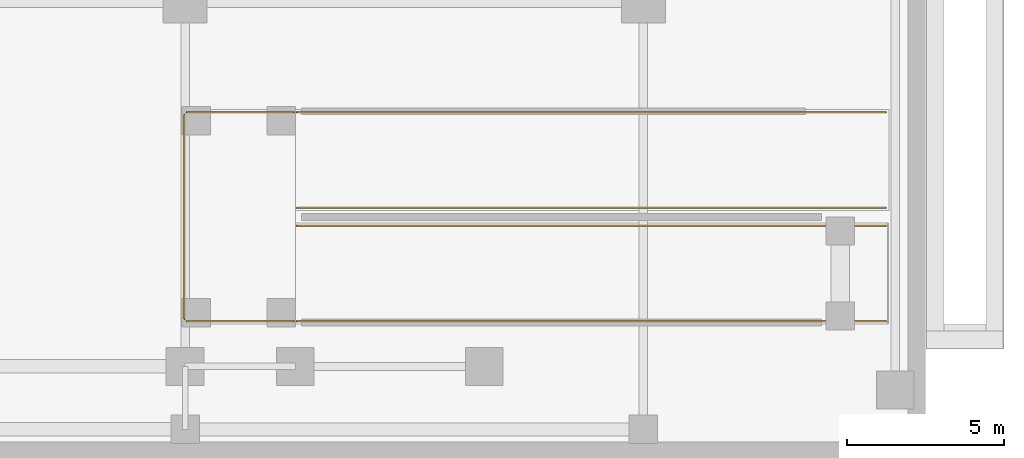
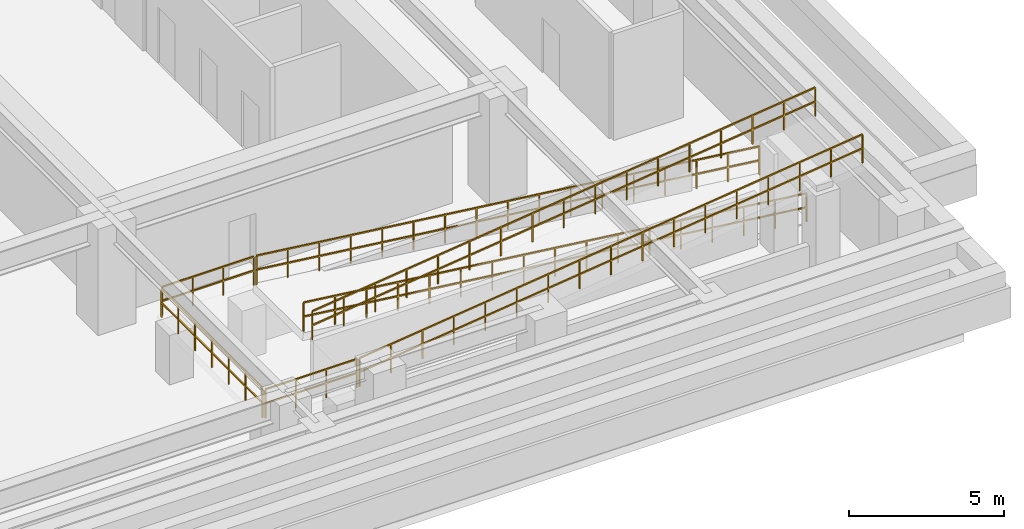
# One storey, part 7 of 9: 7 railings.
"""IFC4 building model written with IfcOpenShell, lengths in metres."""

from ifc_helpers import new_model, si_unit, direction, frame, origin, origin_2d, place, context, subcontext, project, spatial, rectangle, extrude, material, type_object, element, save


model = new_model("IFC4")

# Units and contexts
model_context = context("Model", 3, precision=1e-05, world=origin(), true_north=direction((0.0, 1.0)))
body_context = subcontext(model_context, "Body", "Model", "MODEL_VIEW")
ifc_project = project(units=[si_unit("LENGTHUNIT", "METRE"), si_unit("AREAUNIT", "SQUARE_METRE"), si_unit("VOLUMEUNIT", "CUBIC_METRE"), si_unit("PLANEANGLEUNIT", "RADIAN"), si_unit("MASSUNIT", "GRAM", prefix="KILO")], contexts=[model_context])

# Site, building, storey
site_placement = place(None, origin())
site = spatial("IfcSite", under=ifc_project, at=site_placement, CompositionType="ELEMENT")
building_placement = place(site_placement, origin())
building = spatial("IfcBuilding", under=site, at=building_placement, Name="Ocotamira Hotel", CompositionType="ELEMENT")
storey_placement = place(building_placement, frame((0.0, 0.0, -4.5)))
storey = spatial("IfcBuildingStorey", under=building, at=storey_placement, Name="B01", CompositionType="ELEMENT", Elevation=-4.5)

# Railings
ifc_material = material(Name="Painted steel stair guardrail", Category="steel")
railing_type = type_object("IfcRailingType", Name="RL-EDGE-1150", PredefinedType="GUARDRAIL", material=ifc_material)
railing_1_placement = place(storey_placement, frame((43.949951171875, 11.02001953125, 2.25)))
element("IfcRailing", 1, at=railing_1_placement, inside=storey, type_object=railing_type, Name="VR-2 Mid Landing Guardrail N", PredefinedType="GUARDRAIL", context=body_context, shape_type="SweptSolid", body=[
    extrude(rectangle(XDim=0.048095703125, YDim=0.048095703125, at=origin_2d()), frame((0.0, 0.0, 1.1259765625), z_axis=(-1.0, 0.0, 0.0), x_axis=(0.0, -1.0, 0.0)), (0.0, 0.0, 1.0), 3.39990234375),
    extrude(rectangle(XDim=0.048095703125, YDim=0.048095703125, at=origin_2d()), frame((0.0, 0.0, 0.574951171875), z_axis=(-1.0, 0.0, 0.0), x_axis=(0.0, -1.0, 0.0)), (0.0, 0.0, 1.0), 3.39990234375),
    extrude(rectangle(XDim=0.0419921875, YDim=0.0419921875, at=origin_2d()), origin(), (0.0, 0.0, 1.0), 1.101806640625),
    extrude(rectangle(XDim=0.0419921875, YDim=0.0419921875, at=origin_2d()), frame((-1.13330078125, 0.0, 0.0)), (0.0, 0.0, 1.0), 1.101806640625),
    extrude(rectangle(XDim=0.0419921875, YDim=0.0419921875, at=origin_2d()), frame((-2.2666015625, 0.0, 0.0)), (0.0, 0.0, 1.0), 1.101806640625),
    extrude(rectangle(XDim=0.0419921875, YDim=0.0419921875, at=origin_2d()), frame((-3.39990234375, 0.0, 0.0)), (0.0, 0.0, 1.0), 1.101806640625),
])
railing_2_placement = place(storey_placement, frame((40.47998046875, 10.949951171875, 2.25)))
element("IfcRailing", 2, at=railing_2_placement, inside=storey, type_object=railing_type, Name="VR-2 Mid Landing Guardrail W", PredefinedType="GUARDRAIL", context=body_context, shape_type="SweptSolid", body=[
    extrude(rectangle(XDim=0.048095703125, YDim=0.048095703125, at=origin_2d()), frame((0.0, 0.0, 1.1259765625), z_axis=(0.0, -1.0, 0.0), x_axis=(1.0, 0.0, 0.0)), (0.0, 0.0, 1.0), 6.5),
    extrude(rectangle(XDim=0.048095703125, YDim=0.048095703125, at=origin_2d()), frame((0.0, 0.0, 0.574951171875), z_axis=(0.0, -1.0, 0.0), x_axis=(1.0, 0.0, 0.0)), (0.0, 0.0, 1.0), 6.5),
    extrude(rectangle(XDim=0.0419921875, YDim=0.0419921875, at=origin_2d()), origin(), (0.0, 0.0, 1.0), 1.101806640625),
    extrude(rectangle(XDim=0.0419921875, YDim=0.0419921875, at=origin_2d()), frame((0.0, -1.083251953125, 0.0)), (0.0, 0.0, 1.0), 1.101806640625),
    extrude(rectangle(XDim=0.0419921875, YDim=0.0419921875, at=origin_2d()), frame((0.0, -2.166748046875, 0.0)), (0.0, 0.0, 1.0), 1.101806640625),
    extrude(rectangle(XDim=0.0419921875, YDim=0.0419921875, at=origin_2d()), frame((0.0, -3.25, 0.0)), (0.0, 0.0, 1.0), 1.101806640625),
    extrude(rectangle(XDim=0.0419921875, YDim=0.0419921875, at=origin_2d()), frame((0.0, -4.333251953125, 0.0)), (0.0, 0.0, 1.0), 1.101806640625),
    extrude(rectangle(XDim=0.0419921875, YDim=0.0419921875, at=origin_2d()), frame((0.0, -5.416748046875, 0.0)), (0.0, 0.0, 1.0), 1.101806640625),
    extrude(rectangle(XDim=0.0419921875, YDim=0.0419921875, at=origin_2d()), frame((0.0, -6.5, 0.0)), (0.0, 0.0, 1.0), 1.101806640625),
])
railing_3_placement = place(storey_placement, frame((40.550048828125, 4.3798828125, 2.25)))
element("IfcRailing", 3, at=railing_3_placement, inside=storey, type_object=railing_type, Name="VR-2 Mid Landing Guardrail S", PredefinedType="GUARDRAIL", context=body_context, shape_type="SweptSolid", body=[
    extrude(rectangle(XDim=0.048095703125, YDim=0.048095703125, at=origin_2d()), frame((0.0, 0.0, 1.1259765625), z_axis=(1.0, 0.0, 0.0), x_axis=(0.0, 1.0, 0.0)), (0.0, 0.0, 1.0), 3.39990234375),
    extrude(rectangle(XDim=0.048095703125, YDim=0.048095703125, at=origin_2d()), frame((0.0, 0.0, 0.574951171875), z_axis=(1.0, 0.0, 0.0), x_axis=(0.0, 1.0, 0.0)), (0.0, 0.0, 1.0), 3.39990234375),
    extrude(rectangle(XDim=0.0419921875, YDim=0.0419921875, at=origin_2d()), origin(), (0.0, 0.0, 1.0), 1.101806640625),
    extrude(rectangle(XDim=0.0419921875, YDim=0.0419921875, at=origin_2d()), frame((1.13330078125, 0.0, 0.0)), (0.0, 0.0, 1.0), 1.101806640625),
    extrude(rectangle(XDim=0.0419921875, YDim=0.0419921875, at=origin_2d()), frame((2.2666015625, 0.0, 0.0)), (0.0, 0.0, 1.0), 1.101806640625),
    extrude(rectangle(XDim=0.0419921875, YDim=0.0419921875, at=origin_2d()), frame((3.39990234375, 0.0, 0.0)), (0.0, 0.0, 1.0), 1.101806640625),
])
railing_4_placement = place(storey_placement, frame((62.75, 7.97998046875, 0.0)))
element("IfcRailing", 4, at=railing_4_placement, inside=storey, type_object=railing_type, Name="VR-2 Ramp Guardrail F1S", PredefinedType="GUARDRAIL", context=body_context, shape_type="SweptSolid", body=[
    extrude(rectangle(XDim=0.048095703125, YDim=0.048095703125, at=origin_2d()), frame((0.0, 0.0, 1.1259765625), z_axis=(-0.992839067522, 0.0, 0.119459558017), x_axis=(0.0, -1.0, 0.0)), (0.0, 0.0, 1.0), 18.834716796875),
    extrude(rectangle(XDim=0.048095703125, YDim=0.048095703125, at=origin_2d()), frame((0.0, 0.0, 0.574951171875), z_axis=(-0.992839067522, 0.0, 0.119459558017), x_axis=(0.0, -1.0, 0.0)), (0.0, 0.0, 1.0), 18.834716796875),
    extrude(rectangle(XDim=0.0419921875, YDim=0.0419921875, at=origin_2d()), origin(), (0.0, 0.0, 1.0), 1.101806640625),
    extrude(rectangle(XDim=0.0419921875, YDim=0.0419921875, at=origin_2d()), frame((-1.168701171875, 0.0, 0.140625)), (0.0, 0.0, 1.0), 1.101806640625),
    extrude(rectangle(XDim=0.0419921875, YDim=0.0419921875, at=origin_2d()), frame((-2.33740234375, 0.0, 0.28125)), (0.0, 0.0, 1.0), 1.101806640625),
    extrude(rectangle(XDim=0.0419921875, YDim=0.0419921875, at=origin_2d()), frame((-3.50634765625, 0.0, 0.421875)), (0.0, 0.0, 1.0), 1.101806640625),
    extrude(rectangle(XDim=0.0419921875, YDim=0.0419921875, at=origin_2d()), frame((-4.675048828125, 0.0, 0.5625)), (0.0, 0.0, 1.0), 1.101806640625),
    extrude(rectangle(XDim=0.0419921875, YDim=0.0419921875, at=origin_2d()), frame((-5.84375, 0.0, 0.703125)), (0.0, 0.0, 1.0), 1.101806640625),
    extrude(rectangle(XDim=0.0419921875, YDim=0.0419921875, at=origin_2d()), frame((-7.012451171875, 0.0, 0.84375)), (0.0, 0.0, 1.0), 1.101806640625),
    extrude(rectangle(XDim=0.0419921875, YDim=0.0419921875, at=origin_2d()), frame((-8.18115234375, 0.0, 0.984375)), (0.0, 0.0, 1.0), 1.101806640625),
    extrude(rectangle(XDim=0.0419921875, YDim=0.0419921875, at=origin_2d()), frame((-9.35009765625, 0.0, 1.125)), (0.0, 0.0, 1.0), 1.101806640625),
    extrude(rectangle(XDim=0.0419921875, YDim=0.0419921875, at=origin_2d()), frame((-10.518798828125, 0.0, 1.265625)), (0.0, 0.0, 1.0), 1.101806640625),
    extrude(rectangle(XDim=0.0419921875, YDim=0.0419921875, at=origin_2d()), frame((-11.6875, 0.0, 1.40625)), (0.0, 0.0, 1.0), 1.101806640625),
    extrude(rectangle(XDim=0.0419921875, YDim=0.0419921875, at=origin_2d()), frame((-12.856201171875, 0.0, 1.546875)), (0.0, 0.0, 1.0), 1.101806640625),
    extrude(rectangle(XDim=0.0419921875, YDim=0.0419921875, at=origin_2d()), frame((-14.02490234375, 0.0, 1.6875)), (0.0, 0.0, 1.0), 1.101806640625),
    extrude(rectangle(XDim=0.0419921875, YDim=0.0419921875, at=origin_2d()), frame((-15.193603515625, 0.0, 1.828125)), (0.0, 0.0, 1.0), 1.101806640625),
    extrude(rectangle(XDim=0.0419921875, YDim=0.0419921875, at=origin_2d()), frame((-16.362548828125, 0.0, 1.96875)), (0.0, 0.0, 1.0), 1.101806640625),
    extrude(rectangle(XDim=0.0419921875, YDim=0.0419921875, at=origin_2d()), frame((-17.53125, 0.0, 2.109375)), (0.0, 0.0, 1.0), 1.101806640625),
    extrude(rectangle(XDim=0.0419921875, YDim=0.0419921875, at=origin_2d()), frame((-18.699951171875, 0.0, 2.25)), (0.0, 0.0, 1.0), 1.101806640625),
])
railing_5_placement = place(storey_placement, frame((62.75, 11.02001953125, 0.0)))
element("IfcRailing", 5, at=railing_5_placement, inside=storey, type_object=railing_type, Name="VR-2 Ramp Guardrail F1N", PredefinedType="GUARDRAIL", context=body_context, shape_type="SweptSolid", body=[
    extrude(rectangle(XDim=0.048095703125, YDim=0.048095703125, at=origin_2d()), frame((0.0, 0.0, 1.1259765625), z_axis=(-0.992839067522, 0.0, 0.119459558017), x_axis=(0.0, -1.0, 0.0)), (0.0, 0.0, 1.0), 18.834716796875),
    extrude(rectangle(XDim=0.048095703125, YDim=0.048095703125, at=origin_2d()), frame((0.0, 0.0, 0.574951171875), z_axis=(-0.992839067522, 0.0, 0.119459558017), x_axis=(0.0, -1.0, 0.0)), (0.0, 0.0, 1.0), 18.834716796875),
    extrude(rectangle(XDim=0.0419921875, YDim=0.0419921875, at=origin_2d()), origin(), (0.0, 0.0, 1.0), 1.101806640625),
    extrude(rectangle(XDim=0.0419921875, YDim=0.0419921875, at=origin_2d()), frame((-1.168701171875, 0.0, 0.140625)), (0.0, 0.0, 1.0), 1.101806640625),
    extrude(rectangle(XDim=0.0419921875, YDim=0.0419921875, at=origin_2d()), frame((-2.33740234375, 0.0, 0.28125)), (0.0, 0.0, 1.0), 1.101806640625),
    extrude(rectangle(XDim=0.0419921875, YDim=0.0419921875, at=origin_2d()), frame((-3.50634765625, 0.0, 0.421875)), (0.0, 0.0, 1.0), 1.101806640625),
    extrude(rectangle(XDim=0.0419921875, YDim=0.0419921875, at=origin_2d()), frame((-4.675048828125, 0.0, 0.5625)), (0.0, 0.0, 1.0), 1.101806640625),
    extrude(rectangle(XDim=0.0419921875, YDim=0.0419921875, at=origin_2d()), frame((-5.84375, 0.0, 0.703125)), (0.0, 0.0, 1.0), 1.101806640625),
    extrude(rectangle(XDim=0.0419921875, YDim=0.0419921875, at=origin_2d()), frame((-7.012451171875, 0.0, 0.84375)), (0.0, 0.0, 1.0), 1.101806640625),
    extrude(rectangle(XDim=0.0419921875, YDim=0.0419921875, at=origin_2d()), frame((-8.18115234375, 0.0, 0.984375)), (0.0, 0.0, 1.0), 1.101806640625),
    extrude(rectangle(XDim=0.0419921875, YDim=0.0419921875, at=origin_2d()), frame((-9.35009765625, 0.0, 1.125)), (0.0, 0.0, 1.0), 1.101806640625),
    extrude(rectangle(XDim=0.0419921875, YDim=0.0419921875, at=origin_2d()), frame((-10.518798828125, 0.0, 1.265625)), (0.0, 0.0, 1.0), 1.101806640625),
    extrude(rectangle(XDim=0.0419921875, YDim=0.0419921875, at=origin_2d()), frame((-11.6875, 0.0, 1.40625)), (0.0, 0.0, 1.0), 1.101806640625),
    extrude(rectangle(XDim=0.0419921875, YDim=0.0419921875, at=origin_2d()), frame((-12.856201171875, 0.0, 1.546875)), (0.0, 0.0, 1.0), 1.101806640625),
    extrude(rectangle(XDim=0.0419921875, YDim=0.0419921875, at=origin_2d()), frame((-14.02490234375, 0.0, 1.6875)), (0.0, 0.0, 1.0), 1.101806640625),
    extrude(rectangle(XDim=0.0419921875, YDim=0.0419921875, at=origin_2d()), frame((-15.193603515625, 0.0, 1.828125)), (0.0, 0.0, 1.0), 1.101806640625),
    extrude(rectangle(XDim=0.0419921875, YDim=0.0419921875, at=origin_2d()), frame((-16.362548828125, 0.0, 1.96875)), (0.0, 0.0, 1.0), 1.101806640625),
    extrude(rectangle(XDim=0.0419921875, YDim=0.0419921875, at=origin_2d()), frame((-17.53125, 0.0, 2.109375)), (0.0, 0.0, 1.0), 1.101806640625),
    extrude(rectangle(XDim=0.0419921875, YDim=0.0419921875, at=origin_2d()), frame((-18.699951171875, 0.0, 2.25)), (0.0, 0.0, 1.0), 1.101806640625),
])
railing_6_placement = place(storey_placement, frame((44.050048828125, 4.3798828125, 2.25)))
element("IfcRailing", 6, at=railing_6_placement, inside=storey, type_object=railing_type, Name="VR-2 Ramp Guardrail F2S", PredefinedType="GUARDRAIL", context=body_context, shape_type="SweptSolid", body=[
    extrude(rectangle(XDim=0.048095703125, YDim=0.048095703125, at=origin_2d()), frame((0.0, 0.0, 1.1259765625), z_axis=(0.992839067522, 0.0, 0.119459558017), x_axis=(0.0, 1.0, 0.0)), (0.0, 0.0, 1.0), 18.834716796875),
    extrude(rectangle(XDim=0.048095703125, YDim=0.048095703125, at=origin_2d()), frame((0.0, 0.0, 0.574951171875), z_axis=(0.992839067522, 0.0, 0.119459558017), x_axis=(0.0, 1.0, 0.0)), (0.0, 0.0, 1.0), 18.834716796875),
    extrude(rectangle(XDim=0.0419921875, YDim=0.0419921875, at=origin_2d()), origin(), (0.0, 0.0, 1.0), 1.101806640625),
    extrude(rectangle(XDim=0.0419921875, YDim=0.0419921875, at=origin_2d()), frame((1.168701171875, 0.0, 0.140625)), (0.0, 0.0, 1.0), 1.101806640625),
    extrude(rectangle(XDim=0.0419921875, YDim=0.0419921875, at=origin_2d()), frame((2.33740234375, 0.0, 0.28125)), (0.0, 0.0, 1.0), 1.101806640625),
    extrude(rectangle(XDim=0.0419921875, YDim=0.0419921875, at=origin_2d()), frame((3.50634765625, 0.0, 0.421875)), (0.0, 0.0, 1.0), 1.101806640625),
    extrude(rectangle(XDim=0.0419921875, YDim=0.0419921875, at=origin_2d()), frame((4.675048828125, 0.0, 0.5625)), (0.0, 0.0, 1.0), 1.101806640625),
    extrude(rectangle(XDim=0.0419921875, YDim=0.0419921875, at=origin_2d()), frame((5.84375, 0.0, 0.703125)), (0.0, 0.0, 1.0), 1.101806640625),
    extrude(rectangle(XDim=0.0419921875, YDim=0.0419921875, at=origin_2d()), frame((7.012451171875, 0.0, 0.84375)), (0.0, 0.0, 1.0), 1.101806640625),
    extrude(rectangle(XDim=0.0419921875, YDim=0.0419921875, at=origin_2d()), frame((8.18115234375, 0.0, 0.984375)), (0.0, 0.0, 1.0), 1.101806640625),
    extrude(rectangle(XDim=0.0419921875, YDim=0.0419921875, at=origin_2d()), frame((9.35009765625, 0.0, 1.125)), (0.0, 0.0, 1.0), 1.101806640625),
    extrude(rectangle(XDim=0.0419921875, YDim=0.0419921875, at=origin_2d()), frame((10.518798828125, 0.0, 1.265625)), (0.0, 0.0, 1.0), 1.101806640625),
    extrude(rectangle(XDim=0.0419921875, YDim=0.0419921875, at=origin_2d()), frame((11.6875, 0.0, 1.40625)), (0.0, 0.0, 1.0), 1.101806640625),
    extrude(rectangle(XDim=0.0419921875, YDim=0.0419921875, at=origin_2d()), frame((12.856201171875, 0.0, 1.546875)), (0.0, 0.0, 1.0), 1.101806640625),
    extrude(rectangle(XDim=0.0419921875, YDim=0.0419921875, at=origin_2d()), frame((14.02490234375, 0.0, 1.6875)), (0.0, 0.0, 1.0), 1.101806640625),
    extrude(rectangle(XDim=0.0419921875, YDim=0.0419921875, at=origin_2d()), frame((15.193603515625, 0.0, 1.828125)), (0.0, 0.0, 1.0), 1.101806640625),
    extrude(rectangle(XDim=0.0419921875, YDim=0.0419921875, at=origin_2d()), frame((16.362548828125, 0.0, 1.96875)), (0.0, 0.0, 1.0), 1.101806640625),
    extrude(rectangle(XDim=0.0419921875, YDim=0.0419921875, at=origin_2d()), frame((17.53125, 0.0, 2.109375)), (0.0, 0.0, 1.0), 1.101806640625),
    extrude(rectangle(XDim=0.0419921875, YDim=0.0419921875, at=origin_2d()), frame((18.699951171875, 0.0, 2.25)), (0.0, 0.0, 1.0), 1.101806640625),
])
railing_7_placement = place(storey_placement, frame((44.050048828125, 7.419921875, 2.25)))
element("IfcRailing", 7, at=railing_7_placement, inside=storey, type_object=railing_type, Name="VR-2 Ramp Guardrail F2N", PredefinedType="GUARDRAIL", context=body_context, shape_type="SweptSolid", body=[
    extrude(rectangle(XDim=0.048095703125, YDim=0.048095703125, at=origin_2d()), frame((0.0, 0.0, 1.1259765625), z_axis=(0.992839067522, 0.0, 0.119459558017), x_axis=(0.0, 1.0, 0.0)), (0.0, 0.0, 1.0), 18.834716796875),
    extrude(rectangle(XDim=0.048095703125, YDim=0.048095703125, at=origin_2d()), frame((0.0, 0.0, 0.574951171875), z_axis=(0.992839067522, 0.0, 0.119459558017), x_axis=(0.0, 1.0, 0.0)), (0.0, 0.0, 1.0), 18.834716796875),
    extrude(rectangle(XDim=0.0419921875, YDim=0.0419921875, at=origin_2d()), origin(), (0.0, 0.0, 1.0), 1.101806640625),
    extrude(rectangle(XDim=0.0419921875, YDim=0.0419921875, at=origin_2d()), frame((1.168701171875, 0.0, 0.140625)), (0.0, 0.0, 1.0), 1.101806640625),
    extrude(rectangle(XDim=0.0419921875, YDim=0.0419921875, at=origin_2d()), frame((2.33740234375, 0.0, 0.28125)), (0.0, 0.0, 1.0), 1.101806640625),
    extrude(rectangle(XDim=0.0419921875, YDim=0.0419921875, at=origin_2d()), frame((3.50634765625, 0.0, 0.421875)), (0.0, 0.0, 1.0), 1.101806640625),
    extrude(rectangle(XDim=0.0419921875, YDim=0.0419921875, at=origin_2d()), frame((4.675048828125, 0.0, 0.5625)), (0.0, 0.0, 1.0), 1.101806640625),
    extrude(rectangle(XDim=0.0419921875, YDim=0.0419921875, at=origin_2d()), frame((5.84375, 0.0, 0.703125)), (0.0, 0.0, 1.0), 1.101806640625),
    extrude(rectangle(XDim=0.0419921875, YDim=0.0419921875, at=origin_2d()), frame((7.012451171875, 0.0, 0.84375)), (0.0, 0.0, 1.0), 1.101806640625),
    extrude(rectangle(XDim=0.0419921875, YDim=0.0419921875, at=origin_2d()), frame((8.18115234375, 0.0, 0.984375)), (0.0, 0.0, 1.0), 1.101806640625),
    extrude(rectangle(XDim=0.0419921875, YDim=0.0419921875, at=origin_2d()), frame((9.35009765625, 0.0, 1.125)), (0.0, 0.0, 1.0), 1.101806640625),
    extrude(rectangle(XDim=0.0419921875, YDim=0.0419921875, at=origin_2d()), frame((10.518798828125, 0.0, 1.265625)), (0.0, 0.0, 1.0), 1.101806640625),
    extrude(rectangle(XDim=0.0419921875, YDim=0.0419921875, at=origin_2d()), frame((11.6875, 0.0, 1.40625)), (0.0, 0.0, 1.0), 1.101806640625),
    extrude(rectangle(XDim=0.0419921875, YDim=0.0419921875, at=origin_2d()), frame((12.856201171875, 0.0, 1.546875)), (0.0, 0.0, 1.0), 1.101806640625),
    extrude(rectangle(XDim=0.0419921875, YDim=0.0419921875, at=origin_2d()), frame((14.02490234375, 0.0, 1.6875)), (0.0, 0.0, 1.0), 1.101806640625),
    extrude(rectangle(XDim=0.0419921875, YDim=0.0419921875, at=origin_2d()), frame((15.193603515625, 0.0, 1.828125)), (0.0, 0.0, 1.0), 1.101806640625),
    extrude(rectangle(XDim=0.0419921875, YDim=0.0419921875, at=origin_2d()), frame((16.362548828125, 0.0, 1.96875)), (0.0, 0.0, 1.0), 1.101806640625),
    extrude(rectangle(XDim=0.0419921875, YDim=0.0419921875, at=origin_2d()), frame((17.53125, 0.0, 2.109375)), (0.0, 0.0, 1.0), 1.101806640625),
    extrude(rectangle(XDim=0.0419921875, YDim=0.0419921875, at=origin_2d()), frame((18.699951171875, 0.0, 2.25)), (0.0, 0.0, 1.0), 1.101806640625),
])

save(model, "model.ifc")
